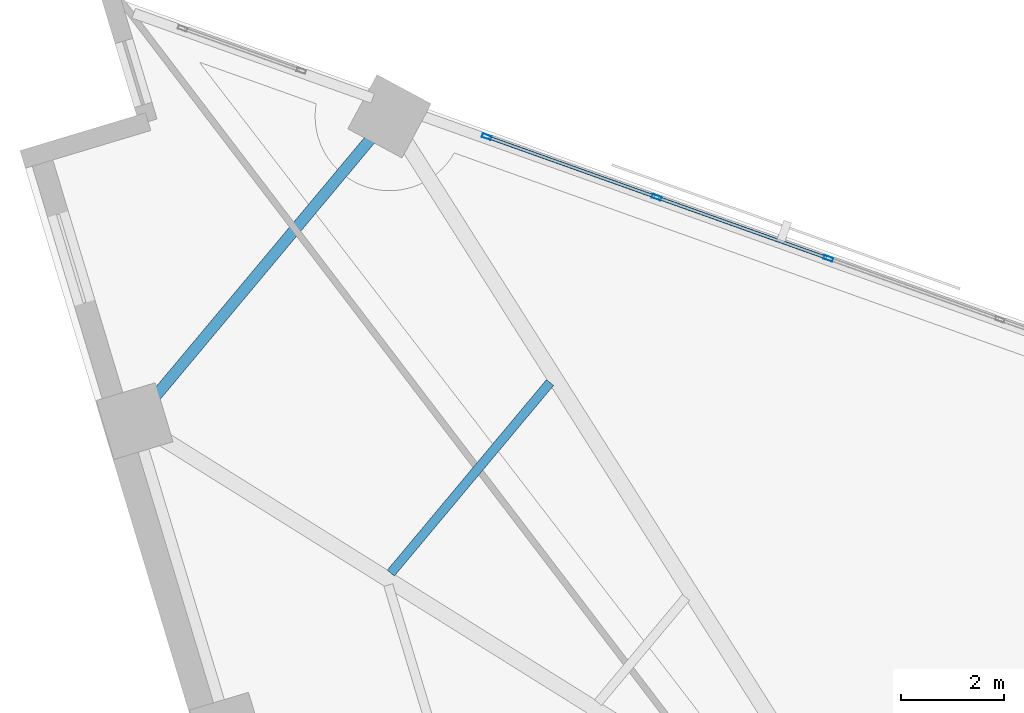
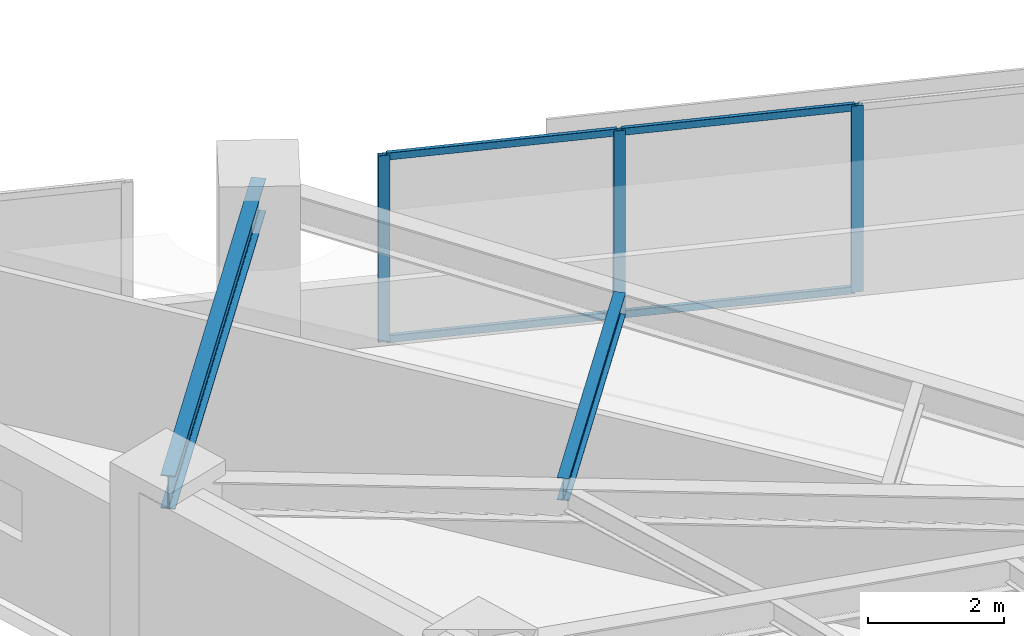
# One storey, part 6 of 16: 7 members, 2 beams, 1 element without a shape of its own.
"""IFC4 building model written with IfcOpenShell, lengths in metres."""

from ifc_helpers import new_model, si_unit, direction, frame, origin, origin_2d, place, context, subcontext, project, spatial, hollow_rectangle, i_section, extrude, material, material_profile, profile_set, type_object, element, aggregate, save


model = new_model("IFC4")

# Units and contexts
model_context = context("Model", 3, precision=1e-05, world=origin(), true_north=direction((0.0, 1.0)))
body_context = subcontext(model_context, "Body", "Model", "MODEL_VIEW")
ifc_project = project(units=[si_unit("LENGTHUNIT", "METRE"), si_unit("AREAUNIT", "SQUARE_METRE"), si_unit("VOLUMEUNIT", "CUBIC_METRE"), si_unit("PLANEANGLEUNIT", "RADIAN"), si_unit("MASSUNIT", "GRAM", prefix="KILO")], contexts=[model_context])

# Site, building, storey
site_placement = place(None, origin())
site = spatial("IfcSite", under=ifc_project, at=site_placement, CompositionType="ELEMENT")
building_placement = place(site_placement, origin())
building = spatial("IfcBuilding", under=site, at=building_placement, Name="Narakoshi Arena Tower", CompositionType="ELEMENT")
storey_placement = place(building_placement, frame((0.0, 0.0, 150.300048828125)))
storey = spatial("IfcBuildingStorey", under=building, at=storey_placement, Name="L40", CompositionType="ELEMENT", Elevation=150.300048828125)

# Beams
ifc_material_1 = material(Name="Structural steel S355J2", Category="steel")
ifc_material_profile_1 = material_profile(ifc_material_1, i_section(OverallWidth=0.219970703125, OverallDepth=0.60009765625, WebThickness=0.011962890625, FlangeThickness=0.01904296875, FilletRadius=0.02392578125, at=origin_2d()), Name="IPE600")
ifc_profile_set_1 = profile_set([ifc_material_profile_1], Name="Structural steel S355J2")
beam_type_1 = type_object("IfcBeamType", Name="BM-EDGE-600", PredefinedType="BEAM", material=ifc_profile_set_1)
beam_1_placement = place(storey_placement, frame((62.545166015625, 71.4501953125, 3.0400390625), z_axis=(-0.641406030011, -0.767201606272, 0.0), x_axis=(0.767201606272, -0.641406030011, 0.0)))
element("IfcBeam", 1, at=beam_1_placement, inside=storey, type_object=beam_type_1, Name="L40 Perimeter Edge Girder 09", PredefinedType="BEAM", context=body_context, shape_type="SweptSolid", body=[
    extrude(i_section(OverallWidth=0.219970703125, OverallDepth=0.60009765625, WebThickness=0.011962890625, FlangeThickness=0.01904296875, FilletRadius=0.02392578125, at=origin_2d()), origin(), (0.0, 0.0, 1.0), 7.73974609375),
])
ifc_material_profile_2 = material_profile(ifc_material_1, i_section(OverallWidth=0.179931640625, OverallDepth=0.39990234375, WebThickness=0.008544921875, FlangeThickness=0.013427734375, FilletRadius=0.02099609375, at=origin_2d()), Name="IPE400")
ifc_profile_set_2 = profile_set([ifc_material_profile_2], Name="Structural steel S355J2")
beam_type_2 = type_object("IfcBeamType", Name="BM-SEC-400", PredefinedType="JOIST", material=ifc_profile_set_2)
beam_2_placement = place(storey_placement, frame((65.673095703125, 66.263671875, 3.139892578125), z_axis=(-0.641350038539, -0.767248413531, 0.0), x_axis=(0.767248413531, -0.641350038539, 0.0)))
element("IfcBeam", 2, at=beam_2_placement, inside=storey, type_object=beam_type_2, Name="L40 Composite Secondary Floor Joist 08", PredefinedType="JOIST", context=body_context, shape_type="SweptSolid", body=[
    extrude(i_section(OverallWidth=0.179931640625, OverallDepth=0.39990234375, WebThickness=0.008544921875, FlangeThickness=0.013427734375, FilletRadius=0.02099609375, at=origin_2d()), origin(), (0.0, 0.0, 1.0), 4.83837890625),
])

# Curtain wall, members
ifc_material_2 = material(Name="Anodised bronze aluminium 6063-T6", Category="aluminium")
curtain_wall_type = type_object("IfcCurtainWallType", Name="CW-HYP-MID", PredefinedType="NOTDEFINED", material=ifc_material_2)
curtain_wall_placement = place(storey_placement, origin())
curtain_wall = element("IfcCurtainWall", 3, at=curtain_wall_placement, inside=storey, type_object=curtain_wall_type, Name="L40 Folded Hypotenuse Curtain Wall 2-1", PredefinedType="NOTDEFINED")
ifc_material_profile_3 = material_profile(ifc_material_2, hollow_rectangle(XDim=0.074951171875, YDim=0.179931640625, WallThickness=0.00390625, OuterFilletRadius=0.0048828125, at=origin_2d()), Name="MUL180x75x4")
ifc_profile_set_3 = profile_set([ifc_material_profile_3], Name="Anodised bronze aluminium 6063-T6")
member_type_1 = type_object("IfcMemberType", Name="MEM-MUL-180", PredefinedType="MULLION", material=ifc_profile_set_3)
member_1_placement = place(storey_placement, frame((71.092529296875, 68.68212890625, 0.0), z_axis=(0.0, 0.0, 1.0), x_axis=(-0.335518297139, -0.94203368957, 0.0)))
member_1 = element("IfcMember", 4, at=member_1_placement, type_object=member_type_1, Name="CW-02 mullion 6", PredefinedType="MULLION", context=body_context, shape_type="SweptSolid", body=[
    extrude(hollow_rectangle(XDim=0.074951171875, YDim=0.179931640625, WallThickness=0.00390625, OuterFilletRadius=0.0048828125, at=origin_2d()), origin(), (0.0, 0.0, 1.0), 3.33984375),
])
member_2_placement = place(storey_placement, frame((67.748046875, 69.873291015625, 0.0), z_axis=(0.0, 0.0, 1.0), x_axis=(-0.335518297139, -0.94203368957, 0.0)))
member_2 = element("IfcMember", 5, at=member_2_placement, type_object=member_type_1, Name="CW-02 mullion 7", PredefinedType="MULLION", context=body_context, shape_type="SweptSolid", body=[
    extrude(hollow_rectangle(XDim=0.074951171875, YDim=0.179931640625, WallThickness=0.00390625, OuterFilletRadius=0.0048828125, at=origin_2d()), origin(), (0.0, 0.0, 1.0), 3.33984375),
])
member_3_placement = place(storey_placement, frame((64.438720703125, 71.052001953125, 0.0), z_axis=(0.0, 0.0, 1.0), x_axis=(-0.335518297139, -0.94203368957, 0.0)))
member_3 = element("IfcMember", 6, at=member_3_placement, type_object=member_type_1, Name="CW-02 mullion 8", PredefinedType="MULLION", context=body_context, shape_type="SweptSolid", body=[
    extrude(hollow_rectangle(XDim=0.074951171875, YDim=0.179931640625, WallThickness=0.00390625, OuterFilletRadius=0.0048828125, at=origin_2d()), origin(), (0.0, 0.0, 1.0), 3.33984375),
])
ifc_material_profile_4 = material_profile(ifc_material_2, hollow_rectangle(XDim=0.06494140625, YDim=0.1298828125, WallThickness=0.00390625, OuterFilletRadius=0.0048828125, at=origin_2d()), Name="TRN130x65x4")
ifc_profile_set_4 = profile_set([ifc_material_profile_4], Name="Anodised bronze aluminium 6063-T6")
member_type_2 = type_object("IfcMemberType", Name="MEM-TRN-130", PredefinedType="USERDEFINED", material=ifc_profile_set_4)
member_4_placement = place(storey_placement, frame((71.05712890625, 68.694580078125, 0.032470703125), z_axis=(-0.942014960696, 0.335570877498, 0.0), x_axis=(-0.335570877498, -0.942014960696, 0.0)))
member_4 = element("IfcMember", 7, at=member_4_placement, type_object=member_type_2, Name="CW-02 transom 6.1", ObjectType="TRANSOM", PredefinedType="USERDEFINED", context=body_context, shape_type="SweptSolid", body=[
    extrude(hollow_rectangle(XDim=0.06494140625, YDim=0.1298828125, WallThickness=0.00390625, OuterFilletRadius=0.0048828125, at=origin_2d()), origin(), (0.0, 0.0, 1.0), 3.475341796875),
])
member_5_placement = place(storey_placement, frame((71.05712890625, 68.694580078125, 3.307373046875), z_axis=(-0.942014960696, 0.335570877498, 0.0), x_axis=(-0.335570877498, -0.942014960696, 0.0)))
member_5 = element("IfcMember", 8, at=member_5_placement, type_object=member_type_2, Name="CW-02 transom 6.2", ObjectType="TRANSOM", PredefinedType="USERDEFINED", context=body_context, shape_type="SweptSolid", body=[
    extrude(hollow_rectangle(XDim=0.06494140625, YDim=0.1298828125, WallThickness=0.00390625, OuterFilletRadius=0.0048828125, at=origin_2d()), origin(), (0.0, 0.0, 1.0), 3.475341796875),
])
member_6_placement = place(storey_placement, frame((67.712646484375, 69.885986328125, 0.032470703125), z_axis=(-0.942045199235, 0.335485979735, 0.0), x_axis=(-0.335485979735, -0.942045199235, 0.0)))
member_6 = element("IfcMember", 9, at=member_6_placement, type_object=member_type_2, Name="CW-02 transom 7.1", ObjectType="TRANSOM", PredefinedType="USERDEFINED", context=body_context, shape_type="SweptSolid", body=[
    extrude(hollow_rectangle(XDim=0.06494140625, YDim=0.1298828125, WallThickness=0.00390625, OuterFilletRadius=0.0048828125, at=origin_2d()), origin(), (0.0, 0.0, 1.0), 3.437744140625),
])
member_7_placement = place(storey_placement, frame((67.712646484375, 69.885986328125, 3.307373046875), z_axis=(-0.942045199235, 0.335485979735, 0.0), x_axis=(-0.335485979735, -0.942045199235, 0.0)))
member_7 = element("IfcMember", 10, at=member_7_placement, type_object=member_type_2, Name="CW-02 transom 7.2", ObjectType="TRANSOM", PredefinedType="USERDEFINED", context=body_context, shape_type="SweptSolid", body=[
    extrude(hollow_rectangle(XDim=0.06494140625, YDim=0.1298828125, WallThickness=0.00390625, OuterFilletRadius=0.0048828125, at=origin_2d()), origin(), (0.0, 0.0, 1.0), 3.437744140625),
])
aggregate(curtain_wall, [member_1, member_2, member_3, member_4, member_5, member_6, member_7])

save(model, "model.ifc")
